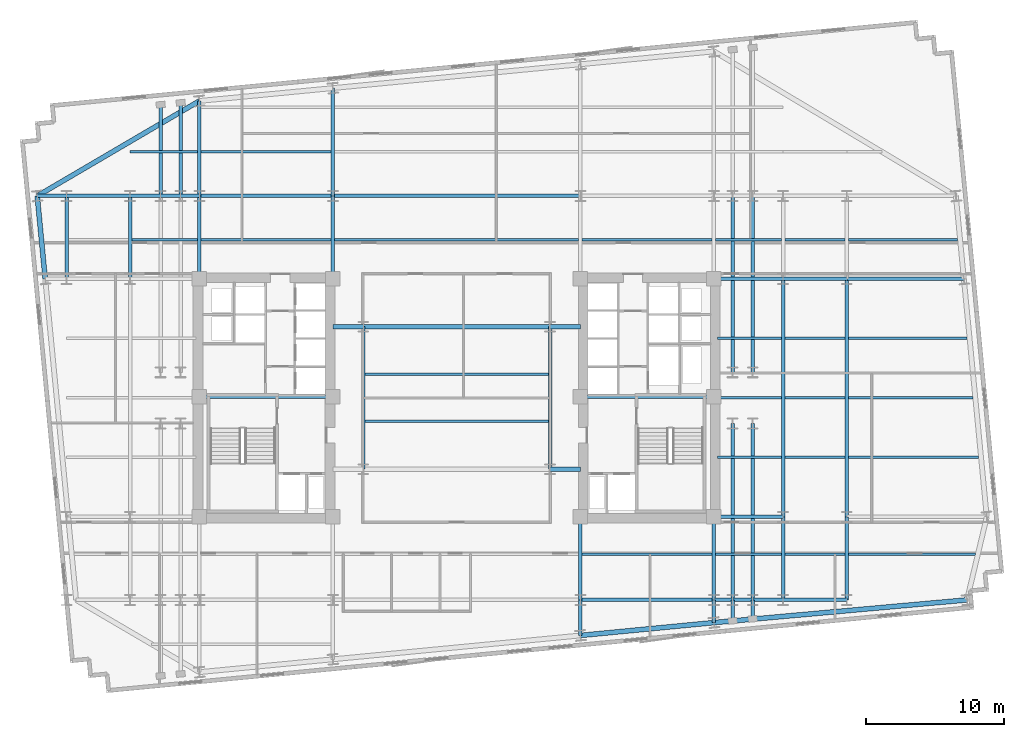
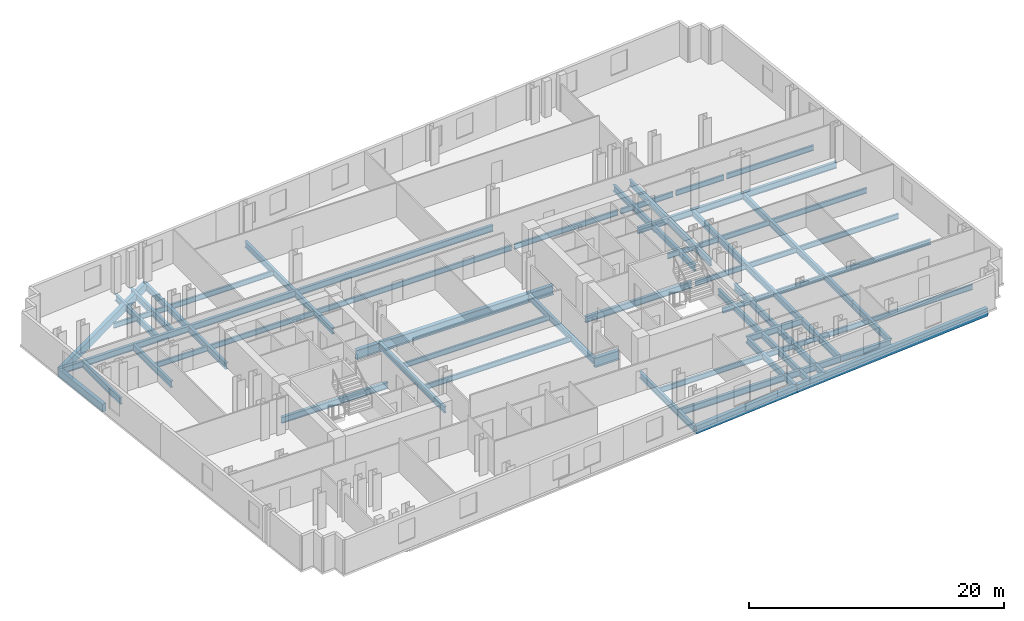
# One storey, part 2 of 10: 70 beams.
"""IFC4 building model written with IfcOpenShell, lengths in metres."""

import ifcopenshell
import ifcopenshell.guid

model = None  # the IFC model being written
_history = None  # IfcOwnerHistory: only IFC2X3 demands one
_inside = {}  # id of a spatial element -> (the spatial element, [elements in it])
_under = {}  # id of a project, library or spatial element -> (it, [spatial elements below it])
_declared = {}  # id of a project -> (the project, [libraries it declares])
_typed = {}  # id of a type object -> (the type object, [elements of that type])
_made_of = {}  # id of a material, layer set ... -> (it, [elements and type objects made of it])


def new_model(schema):
    """Start an empty IFC model of exactly this schema.

    Asked for "IFC4X3", IfcOpenShell would pick the latest addendum, in which some entities
    have other attributes; the version numbers below select the first issue.
    IFC2X3 requires an IfcOwnerHistory on every rooted entity: one is made here for all.
    """
    global model, _history
    if schema == "IFC4X3":
        model = ifcopenshell.file(schema_version=(4, 3, 0, 0))
    else:
        model = ifcopenshell.file(schema=schema)
    _inside.clear()
    _under.clear()
    _declared.clear()
    _typed.clear()
    _made_of.clear()
    _history = None
    if model.schema == "IFC2X3":
        org = make("IfcOrganization", Name="unknown")
        user = make(
            "IfcPersonAndOrganization",
            ThePerson=make("IfcPerson", FamilyName="unknown"),
            TheOrganization=org,
        )
        app = make(
            "IfcApplication",
            ApplicationDeveloper=org,
            Version="unknown",
            ApplicationFullName="unknown",
            ApplicationIdentifier="unknown",
        )
        _history = make(
            "IfcOwnerHistory",
            OwningUser=user,
            OwningApplication=app,
            ChangeAction="ADDED",
            CreationDate=0,
        )
    return model


def make(cls, **values):
    """One entity of the class cls with the attributes given. An attribute that is None is left unset."""
    return model.create_entity(
        cls, **{name: value for name, value in values.items() if value is not None}
    )


def rooted(cls, **values):
    """An entity with a GlobalId (a new one), such as an element, a storey or a relation."""
    return make(cls, GlobalId=ifcopenshell.guid.new(), OwnerHistory=_history, **values)


def si_unit(unit_type, name, prefix=None):
    """IfcSIUnit, for example si_unit("LENGTHUNIT", "METRE", prefix="MILLI")."""
    return make("IfcSIUnit", UnitType=unit_type, Prefix=prefix, Name=name)


def assignment(units):
    """IfcUnitAssignment: the units of a project."""
    return None if units is None else make("IfcUnitAssignment", Units=units)


def point(xyz):
    """IfcCartesianPoint."""
    return None if xyz is None else make("IfcCartesianPoint", Coordinates=xyz)


def direction(xyz):
    """IfcDirection."""
    return None if xyz is None else make("IfcDirection", DirectionRatios=xyz)


def frame(location, z_axis=None, x_axis=None):
    """IfcAxis2Placement3D, a coordinate frame: its origin and axes. An axis left out is left unset."""
    return make(
        "IfcAxis2Placement3D",
        Location=point(location),
        Axis=direction(z_axis),
        RefDirection=direction(x_axis),
    )


def frame_2d(location, x_axis=None):
    """IfcAxis2Placement2D, a coordinate frame in the plane: its origin and x axis."""
    return make(
        "IfcAxis2Placement2D", Location=point(location), RefDirection=direction(x_axis)
    )


def origin():
    """The frame at (0, 0, 0) with its axes left unset."""
    return frame((0.0, 0.0, 0.0))


def origin_2d():
    """The frame at (0, 0) in the plane with its x axis left unset."""
    return frame_2d((0.0, 0.0))


def place(relative_to, where):
    """IfcLocalPlacement: puts the frame where relative to a parent placement (None: the world)."""
    return make(
        "IfcLocalPlacement", PlacementRelTo=relative_to, RelativePlacement=where
    )


def context(
    kind, dimensions, precision=None, world=None, true_north=None, identifier=None
):
    """IfcGeometricRepresentationContext, for example the 3D "Model" context."""
    return make(
        "IfcGeometricRepresentationContext",
        ContextIdentifier=identifier,
        ContextType=kind,
        CoordinateSpaceDimension=dimensions,
        Precision=precision,
        WorldCoordinateSystem=world,
        TrueNorth=true_north,
    )


def subcontext(parent, identifier, kind, view, scale=None):
    """IfcGeometricRepresentationSubContext, for example "Body" below "Model"."""
    return make(
        "IfcGeometricRepresentationSubContext",
        ContextIdentifier=identifier,
        ContextType=kind,
        ParentContext=parent,
        TargetScale=scale,
        TargetView=view,
    )


def project(units=None, contexts=None):
    """IfcProject with its units and contexts."""
    return rooted(
        "IfcProject",
        Name="project",
        RepresentationContexts=contexts,
        UnitsInContext=assignment(units),
    )


def spatial(cls, under=None, at=None, **own):
    """A site, building, storey or space (cls), placed at a placement, below another one or the project."""
    s = rooted(cls, ObjectPlacement=at, **own)
    if under is not None:
        _under.setdefault(under.id(), (under, []))[1].append(s)
    return s


def profile(cls, at=None, kind="AREA", **sizes):
    """A parametric profile (cls). Its sizes go by their IFC names, for example OverallWidth=200.0."""
    return make(cls, ProfileType=kind, Position=at, **sizes)


def rectangle(**sizes):
    """IfcRectangleProfileDef."""
    return profile("IfcRectangleProfileDef", **sizes)


def i_section(**sizes):
    """IfcIShapeProfileDef."""
    return profile("IfcIShapeProfileDef", **sizes)


def extrude(swept, where, along, depth):
    """IfcExtrudedAreaSolid: the profile swept, set in the frame where, extruded along a direction by depth."""
    return make(
        "IfcExtrudedAreaSolid",
        SweptArea=swept,
        Position=where,
        ExtrudedDirection=direction(along),
        Depth=depth,
    )


def shape(context_of_items, identifier, shape_type, items):
    """IfcShapeRepresentation: the items that make up one representation, for example the "Body"."""
    return make(
        "IfcShapeRepresentation",
        ContextOfItems=context_of_items,
        RepresentationIdentifier=identifier,
        RepresentationType=shape_type,
        Items=items,
    )


def material(Name=None, Category=None):
    """IfcMaterial."""
    return make("IfcMaterial", Name=Name, Category=Category)


def material_profile(
    of_material, cross_section, Name=None, Category=None, Priority=None
):
    """IfcMaterialProfile: a cross section and its material."""
    return make(
        "IfcMaterialProfile",
        Name=Name,
        Material=of_material,
        Profile=cross_section,
        Priority=Priority,
        Category=Category,
    )


def profile_set(profiles, Name=None, composite=None):
    """IfcMaterialProfileSet."""
    return make(
        "IfcMaterialProfileSet",
        Name=Name,
        MaterialProfiles=profiles,
        CompositeProfile=composite,
    )


def made_of(thing, what):
    """Note that an element or type object is made of a material, layer set ...; save() writes the relation."""
    if what is not None:
        _made_of.setdefault(what.id(), (what, []))[1].append(thing)
    return thing


def type_object(cls, material=None, **own):
    """A type object (cls), such as IfcWallType, which elements share."""
    return made_of(rooted(cls, **own), material)


def element(
    cls,
    number,
    at=None,
    inside=None,
    cuts=None,
    type_object=None,
    material=None,
    context=None,
    identifier="Body",
    shape_type=None,
    held_by="IfcProductDefinitionShape",
    body=None,
    shapes=None,
    **own,
):
    """One element of the class cls, such as IfcWall. Its Tag is "e" and its number.

    at: its placement. inside: the storey or other place that contains it. cuts: it is an
    opening in that element (IfcRelVoidsElement). A single representation is given by context,
    identifier, shape_type and body (its items); several are given by shapes. held_by: the class
    of the entity that holds the representations. save() writes the other relations.
    """
    e = rooted(cls, Tag="e%d" % number, ObjectPlacement=at, **own)
    if body is not None:
        shapes = [shape(context, identifier, shape_type, body)]
    if shapes is not None:
        e.Representation = make(held_by, Representations=shapes)
    if inside is not None:
        _inside.setdefault(inside.id(), (inside, []))[1].append(e)
    if cuts is not None:
        rooted(
            "IfcRelVoidsElement", RelatingBuildingElement=cuts, RelatedOpeningElement=e
        )
    if type_object is not None:
        _typed.setdefault(type_object.id(), (type_object, []))[1].append(e)
    return made_of(e, material)


def aggregate(whole, parts):
    """IfcRelAggregates: a whole, such as a stair, and the parts it consists of."""
    return rooted("IfcRelAggregates", RelatingObject=whole, RelatedObjects=parts)


def save(model, path):
    """Write the relations noted so far, then the file.

    IfcRelAggregates (storeys below a building ...), IfcRelContainedInSpatialStructure (elements
    in a storey), IfcRelDefinesByType, IfcRelAssociatesMaterial and IfcRelDeclares: one each for
    every whole, place, type object, material and project.
    """
    for whole, parts in _under.values():
        aggregate(whole, parts)
    for where, things in _inside.values():
        rooted(
            "IfcRelContainedInSpatialStructure",
            RelatedElements=things,
            RelatingStructure=where,
        )
    for kind, things in _typed.values():
        rooted("IfcRelDefinesByType", RelatedObjects=things, RelatingType=kind)
    for what, things in _made_of.values():
        rooted("IfcRelAssociatesMaterial", RelatedObjects=things, RelatingMaterial=what)
    for by, libraries in _declared.values():
        rooted("IfcRelDeclares", RelatingContext=by, RelatedDefinitions=libraries)
    model.write(path)


model = new_model("IFC4")

# Units and contexts
model_context = context("Model", 3, precision=1e-05, world=origin(), true_north=direction((0.0, 1.0)))
body_context = subcontext(model_context, "Body", "Model", "MODEL_VIEW")
ifc_project = project(units=[si_unit("LENGTHUNIT", "METRE"), si_unit("AREAUNIT", "SQUARE_METRE"), si_unit("VOLUMEUNIT", "CUBIC_METRE"), si_unit("PLANEANGLEUNIT", "RADIAN"), si_unit("MASSUNIT", "GRAM", prefix="KILO")], contexts=[model_context])

# Site, building, storey
site_placement = place(None, origin())
site = spatial("IfcSite", under=ifc_project, at=site_placement, CompositionType="ELEMENT")
building_placement = place(site_placement, origin())
building = spatial("IfcBuilding", under=site, at=building_placement, Name="Velakula Bourse", CompositionType="ELEMENT")
storey_placement = place(building_placement, frame((0.0, 0.0, 98.35009765625)))
storey = spatial("IfcBuildingStorey", under=building, at=storey_placement, Name="L26", CompositionType="ELEMENT", Elevation=98.35009765625)

# Beams
ifc_material_1 = material(Name="Steel IS 2062 Grade 350 (E350)", Category="steel")
ifc_material_profile_1 = material_profile(ifc_material_1, i_section(OverallWidth=0.25, OverallDepth=0.60009765625, WebThickness=0.01171875, FlangeThickness=0.023681640625, at=origin_2d()), Name="Steel IS 2062 Grade 350 (E350)")
ifc_profile_set_1 = profile_set([ifc_material_profile_1], Name="Steel IS 2062 Grade 350 (E350)")
beam_type_1 = type_object("IfcBeamType", Name="BM-GRD-600H", PredefinedType="BEAM", material=ifc_profile_set_1)
for number, where, z_axis, x_axis, name in (
    (1, (-18.60009765625, 0.10009765625, -0.47998046875), (1.0, 0.0, 0.0), (0.0, 1.0, 0.0), "L26 Primary Backbone Girder CRW-M"),
    (2, (8.949951171875, 0.10009765625, -0.47998046875), (1.0, 0.0, 0.0), (0.0, 1.0, 0.0), "L26 Primary Backbone Girder CRE-M"),
):
    element("IfcBeam", number, at=place(storey_placement, frame(where, z_axis=z_axis, x_axis=x_axis)), inside=storey, type_object=beam_type_1, Name=name, PredefinedType="BEAM", context=body_context, shape_type="SweptSolid", body=[
        extrude(i_section(OverallWidth=0.25, OverallDepth=0.60009765625, WebThickness=0.01171875, FlangeThickness=0.023681640625, at=origin_2d()), origin(), (0.0, 0.0, 1.0), 9.650146484375),
    ])
for number, where, z_axis, x_axis, name in (
    (3, (-6.75, -5.14990234375, -0.47998046875), (0.0, 1.0, 0.0), (-1.0, 0.0, 0.0), "L26 Primary Backbone Girder SPN-W"),
    (4, (6.75, -5.14990234375, -0.47998046875), (0.0, 1.0, 0.0), (-1.0, 0.0, 0.0), "L26 Primary Backbone Girder SPN-E"),
):
    element("IfcBeam", number, at=place(storey_placement, frame(where, z_axis=z_axis, x_axis=x_axis)), inside=storey, type_object=beam_type_1, Name=name, PredefinedType="BEAM", context=body_context, shape_type="SweptSolid", body=[
        extrude(i_section(OverallWidth=0.25, OverallDepth=0.60009765625, WebThickness=0.01171875, FlangeThickness=0.023681640625, at=origin_2d()), origin(), (0.0, 0.0, 1.0), 10.2998046875),
    ])
for number, where, z_axis, x_axis, name in (
    (5, (-18.60009765625, 8.60009765625, -0.47998046875), (0.0, 1.0, 0.0), (-1.0, 0.0, 0.0), "L26 Fulcrum Grid Girder FLC-WN"),
    (6, (-8.949951171875, 8.60009765625, -0.47998046875), (0.0, 1.0, 0.0), (-1.0, 0.0, 0.0), "L26 Fulcrum Grid Girder FLC-WCN"),
    (7, (8.949951171875, -14.60009765625, -0.47998046875), (0.0, 1.0, 0.0), (-1.0, 0.0, 0.0), "L26 Fulcrum Grid Girder FLC-ECS"),
    (8, (18.60009765625, -14.60009765625, -0.47998046875), (0.0, 1.0, 0.0), (-1.0, 0.0, 0.0), "L26 Fulcrum Grid Girder FLC-ES"),
):
    element("IfcBeam", number, at=place(storey_placement, frame(where, z_axis=z_axis, x_axis=x_axis)), inside=storey, type_object=beam_type_1, Name=name, PredefinedType="BEAM", context=body_context, shape_type="SweptSolid", body=[
        extrude(i_section(OverallWidth=0.25, OverallDepth=0.60009765625, WebThickness=0.01171875, FlangeThickness=0.023681640625, at=origin_2d()), origin(), (0.0, 0.0, 1.0), 6.0),
    ])
for number, where, z_axis, x_axis, name in (
    (9, (8.949951171875, -14.60009765625, -0.47998046875), (1.0, 0.0, 0.0), (0.0, 1.0, 0.0), "L26 Fulcrum Grid Girder FLC-S3"),
    (10, (-18.60009765625, 14.60009765625, -0.47998046875), (1.0, 0.0, 0.0), (0.0, 1.0, 0.0), "L26 Fulcrum Grid Girder FLC-N1"),
):
    element("IfcBeam", number, at=place(storey_placement, frame(where, z_axis=z_axis, x_axis=x_axis)), inside=storey, type_object=beam_type_1, Name=name, PredefinedType="BEAM", context=body_context, shape_type="SweptSolid", body=[
        extrude(i_section(OverallWidth=0.25, OverallDepth=0.60009765625, WebThickness=0.01171875, FlangeThickness=0.023681640625, at=origin_2d()), origin(), (0.0, 0.0, 1.0), 9.650146484375),
    ])
beam_1_placement = place(storey_placement, frame((-8.949951171875, 14.60009765625, -0.47998046875), z_axis=(1.0, 0.0, 0.0), x_axis=(0.0, 1.0, 0.0)))
element("IfcBeam", 11, at=beam_1_placement, inside=storey, type_object=beam_type_1, Name="L26 Fulcrum Grid Girder FLC-N2", PredefinedType="BEAM", context=body_context, shape_type="SweptSolid", body=[
    extrude(i_section(OverallWidth=0.25, OverallDepth=0.60009765625, WebThickness=0.01171875, FlangeThickness=0.023681640625, at=origin_2d()), origin(), (0.0, 0.0, 1.0), 17.89990234375),
])
for number, where, z_axis, x_axis, name in (
    (12, (19.949951171875, -14.60009765625, -0.47998046875), (0.0, 1.0, 0.0), (-1.0, 0.0, 0.0), "L26 Fulcrum Grid Girder FLC-PSE1"),
    (13, (19.949951171875, 1.85009765625, -0.47998046875), (0.0, 1.0, 0.0), (-1.0, 0.0, 0.0), "L26 Fulcrum Grid Girder FLC-PNE1"),
    (14, (21.39990234375, -14.60009765625, -0.47998046875), (0.0, 1.0, 0.0), (-1.0, 0.0, 0.0), "L26 Fulcrum Grid Girder FLC-PSE2"),
    (15, (21.39990234375, 1.85009765625, -0.47998046875), (0.0, 1.0, 0.0), (-1.0, 0.0, 0.0), "L26 Fulcrum Grid Girder FLC-PNE2"),
):
    element("IfcBeam", number, at=place(storey_placement, frame(where, z_axis=z_axis, x_axis=x_axis)), inside=storey, type_object=beam_type_1, Name=name, PredefinedType="BEAM", context=body_context, shape_type="SweptSolid", body=[
        extrude(i_section(OverallWidth=0.25, OverallDepth=0.60009765625, WebThickness=0.01171875, FlangeThickness=0.023681640625, at=origin_2d()), origin(), (0.0, 0.0, 1.0), 12.75),
    ])
beam_2_placement = place(storey_placement, frame((-23.60009765625, 14.60009765625, -0.47998046875), z_axis=(1.0, 0.0, 0.0), x_axis=(0.0, 1.0, 0.0)))
element("IfcBeam", 16, at=beam_2_placement, inside=storey, type_object=beam_type_1, Name="L26 Fulcrum Grid Girder MWG-WN2", PredefinedType="BEAM", context=body_context, shape_type="SweptSolid", body=[
    extrude(i_section(OverallWidth=0.25, OverallDepth=0.60009765625, WebThickness=0.01171875, FlangeThickness=0.023681640625, at=origin_2d()), origin(), (0.0, 0.0, 1.0), 5.0),
])
beam_3_placement = place(storey_placement, frame((-23.60009765625, 8.60009765625, -0.47998046875), z_axis=(0.0, 1.0, 0.0), x_axis=(-1.0, 0.0, 0.0)))
element("IfcBeam", 17, at=beam_3_placement, inside=storey, type_object=beam_type_1, Name="L26 Fulcrum Grid Girder MWG-WNS3", PredefinedType="BEAM", context=body_context, shape_type="SweptSolid", body=[
    extrude(i_section(OverallWidth=0.25, OverallDepth=0.60009765625, WebThickness=0.01171875, FlangeThickness=0.023681640625, at=origin_2d()), origin(), (0.0, 0.0, 1.0), 6.0),
])
for number, where, z_axis, x_axis, name in (
    (18, (18.60009765625, -14.60009765625, -0.47998046875), (1.0, 0.0, 0.0), (0.0, 1.0, 0.0), "L26 Fulcrum Grid Girder MWG-ES1"),
    (19, (18.60009765625, -8.60009765625, -0.47998046875), (1.0, 0.0, 0.0), (0.0, 1.0, 0.0), "L26 Fulcrum Grid Girder MWG-ES2"),
    (20, (18.60009765625, 8.60009765625, -0.47998046875), (1.0, 0.0, 0.0), (0.0, 1.0, 0.0), "L26 Fulcrum Grid Girder MWG-EN1"),
):
    element("IfcBeam", number, at=place(storey_placement, frame(where, z_axis=z_axis, x_axis=x_axis)), inside=storey, type_object=beam_type_1, Name=name, PredefinedType="BEAM", context=body_context, shape_type="SweptSolid", body=[
        extrude(i_section(OverallWidth=0.25, OverallDepth=0.60009765625, WebThickness=0.01171875, FlangeThickness=0.023681640625, at=origin_2d()), origin(), (0.0, 0.0, 1.0), 5.0),
    ])
beam_4_placement = place(storey_placement, frame((23.60009765625, -14.60009765625, -0.47998046875), z_axis=(0.0, 1.0, 0.0), x_axis=(-1.0, 0.0, 0.0)))
element("IfcBeam", 21, at=beam_4_placement, inside=storey, type_object=beam_type_1, Name="L26 Fulcrum Grid Girder MWG-ENS1", PredefinedType="BEAM", context=body_context, shape_type="SweptSolid", body=[
    extrude(i_section(OverallWidth=0.25, OverallDepth=0.60009765625, WebThickness=0.01171875, FlangeThickness=0.023681640625, at=origin_2d()), origin(), (0.0, 0.0, 1.0), 6.0),
])
beam_5_placement = place(storey_placement, frame((23.60009765625, -8.60009765625, -0.47998046875), z_axis=(0.0, 1.0, 0.0), x_axis=(-1.0, 0.0, 0.0)))
element("IfcBeam", 22, at=beam_5_placement, inside=storey, type_object=beam_type_1, Name="L26 Fulcrum Grid Girder MWG-ENS2", PredefinedType="BEAM", context=body_context, shape_type="SweptSolid", body=[
    extrude(i_section(OverallWidth=0.25, OverallDepth=0.60009765625, WebThickness=0.01171875, FlangeThickness=0.023681640625, at=origin_2d()), origin(), (0.0, 0.0, 1.0), 17.2001953125),
])
beam_6_placement = place(storey_placement, frame((-28.199951171875, 14.60009765625, -0.47998046875), z_axis=(1.0, 0.0, 0.0), x_axis=(0.0, 1.0, 0.0)))
element("IfcBeam", 23, at=beam_6_placement, inside=storey, type_object=beam_type_1, Name="L26 Fulcrum Grid Girder WNG-WN2", PredefinedType="BEAM", context=body_context, shape_type="SweptSolid", body=[
    extrude(i_section(OverallWidth=0.25, OverallDepth=0.60009765625, WebThickness=0.01171875, FlangeThickness=0.023681640625, at=origin_2d()), origin(), (0.0, 0.0, 1.0), 4.599853515625),
])
beam_7_placement = place(storey_placement, frame((-28.199951171875, 8.60009765625, -0.47998046875), z_axis=(0.0, 1.0, 0.0), x_axis=(-1.0, 0.0, 0.0)))
element("IfcBeam", 24, at=beam_7_placement, inside=storey, type_object=beam_type_1, Name="L26 Fulcrum Grid Girder WNG-WNS3", PredefinedType="BEAM", context=body_context, shape_type="SweptSolid", body=[
    extrude(i_section(OverallWidth=0.25, OverallDepth=0.60009765625, WebThickness=0.01171875, FlangeThickness=0.023681640625, at=origin_2d()), origin(), (0.0, 0.0, 1.0), 6.0),
])
for number, where, z_axis, x_axis, name in (
    (25, (23.60009765625, -14.60009765625, -0.47998046875), (1.0, 0.0, 0.0), (0.0, 1.0, 0.0), "L26 Fulcrum Grid Girder WNG-ES1"),
    (26, (23.60009765625, 8.60009765625, -0.47998046875), (1.0, 0.0, 0.0), (0.0, 1.0, 0.0), "L26 Fulcrum Grid Girder WNG-EN1"),
):
    element("IfcBeam", number, at=place(storey_placement, frame(where, z_axis=z_axis, x_axis=x_axis)), inside=storey, type_object=beam_type_1, Name=name, PredefinedType="BEAM", context=body_context, shape_type="SweptSolid", body=[
        extrude(i_section(OverallWidth=0.25, OverallDepth=0.60009765625, WebThickness=0.01171875, FlangeThickness=0.023681640625, at=origin_2d()), origin(), (0.0, 0.0, 1.0), 4.599853515625),
    ])
beam_8_placement = place(storey_placement, frame((28.199951171875, -14.60009765625, -0.47998046875), z_axis=(0.0, 1.0, 0.0), x_axis=(-1.0, 0.0, 0.0)))
element("IfcBeam", 27, at=beam_8_placement, inside=storey, type_object=beam_type_1, Name="L26 Fulcrum Grid Girder WNG-ENS1", PredefinedType="BEAM", context=body_context, shape_type="SweptSolid", body=[
    extrude(i_section(OverallWidth=0.25, OverallDepth=0.60009765625, WebThickness=0.01171875, FlangeThickness=0.023681640625, at=origin_2d()), origin(), (0.0, 0.0, 1.0), 6.0),
])
beam_9_placement = place(storey_placement, frame((28.199951171875, -8.60009765625, -0.47998046875), z_axis=(0.0, 1.0, 0.0), x_axis=(-1.0, 0.0, 0.0)))
element("IfcBeam", 28, at=beam_9_placement, inside=storey, type_object=beam_type_1, Name="L26 Fulcrum Grid Girder WNG-ENS2", PredefinedType="BEAM", context=body_context, shape_type="SweptSolid", body=[
    extrude(i_section(OverallWidth=0.25, OverallDepth=0.60009765625, WebThickness=0.01171875, FlangeThickness=0.023681640625, at=origin_2d()), origin(), (0.0, 0.0, 1.0), 17.2001953125),
])
beam_10_placement = place(storey_placement, frame((8.949951171875, -14.60009765625, -0.47998046875), z_axis=(0.0, -1.0, 0.0), x_axis=(1.0, 0.0, 0.0)))
element("IfcBeam", 29, at=beam_10_placement, inside=storey, type_object=beam_type_1, Name="L26 Perimeter Tie Girder S3", PredefinedType="BEAM", context=body_context, shape_type="SweptSolid", body=[
    extrude(i_section(OverallWidth=0.25, OverallDepth=0.60009765625, WebThickness=0.01171875, FlangeThickness=0.023681640625, at=origin_2d()), origin(), (0.0, 0.0, 1.0), 2.568359375),
])
beam_11_placement = place(storey_placement, frame((18.60009765625, -14.60009765625, -0.47998046875), z_axis=(0.0, -1.0, 0.0), x_axis=(1.0, 0.0, 0.0)))
element("IfcBeam", 30, at=beam_11_placement, inside=storey, type_object=beam_type_1, Name="L26 Perimeter Tie Girder S4", PredefinedType="BEAM", context=body_context, shape_type="SweptSolid", body=[
    extrude(i_section(OverallWidth=0.25, OverallDepth=0.60009765625, WebThickness=0.01171875, FlangeThickness=0.023681640625, at=origin_2d()), origin(), (0.0, 0.0, 1.0), 1.63916015625),
])
beam_12_placement = place(storey_placement, frame((-18.60009765625, 14.60009765625, -0.47998046875), z_axis=(0.0, 1.0, 0.0), x_axis=(-1.0, 0.0, 0.0)))
element("IfcBeam", 31, at=beam_12_placement, inside=storey, type_object=beam_type_1, Name="L26 Perimeter Tie Girder N1", PredefinedType="BEAM", context=body_context, shape_type="SweptSolid", body=[
    extrude(i_section(OverallWidth=0.25, OverallDepth=0.60009765625, WebThickness=0.01171875, FlangeThickness=0.023681640625, at=origin_2d()), origin(), (0.0, 0.0, 1.0), 6.868896484375),
])
beam_13_placement = place(storey_placement, frame((-8.949951171875, 14.60009765625, -0.47998046875), z_axis=(0.0, 1.0, 0.0), x_axis=(-1.0, 0.0, 0.0)))
element("IfcBeam", 32, at=beam_13_placement, inside=storey, type_object=beam_type_1, Name="L26 Perimeter Tie Girder N2", PredefinedType="BEAM", context=body_context, shape_type="SweptSolid", body=[
    extrude(i_section(OverallWidth=0.25, OverallDepth=0.60009765625, WebThickness=0.01171875, FlangeThickness=0.023681640625, at=origin_2d()), origin(), (0.0, 0.0, 1.0), 7.798095703125),
])
beam_14_placement = place(storey_placement, frame((-28.199951171875, 14.60009765625, -0.47998046875), z_axis=(-1.0, 0.0, 0.0), x_axis=(0.0, -1.0, 0.0)))
element("IfcBeam", 33, at=beam_14_placement, inside=storey, type_object=beam_type_1, Name="L26 Perimeter Tie Girder W4", PredefinedType="BEAM", context=body_context, shape_type="SweptSolid", body=[
    extrude(i_section(OverallWidth=0.25, OverallDepth=0.60009765625, WebThickness=0.01171875, FlangeThickness=0.023681640625, at=origin_2d()), origin(), (0.0, 0.0, 1.0), 2.119873046875),
])
beam_15_placement = place(storey_placement, frame((28.199951171875, 8.60009765625, -0.47998046875), z_axis=(1.0, 0.0, 0.0), x_axis=(0.0, 1.0, 0.0)))
element("IfcBeam", 34, at=beam_15_placement, inside=storey, type_object=beam_type_1, Name="L26 Perimeter Tie Girder E3", PredefinedType="BEAM", context=body_context, shape_type="SweptSolid", body=[
    extrude(i_section(OverallWidth=0.25, OverallDepth=0.60009765625, WebThickness=0.01171875, FlangeThickness=0.023681640625, at=origin_2d()), origin(), (0.0, 0.0, 1.0), 8.463623046875),
])
beam_16_placement = place(storey_placement, frame((19.949951171875, -14.60009765625, -0.47998046875), z_axis=(0.0, -1.0, 0.0), x_axis=(1.0, 0.0, 0.0)))
element("IfcBeam", 35, at=beam_16_placement, inside=storey, type_object=beam_type_1, Name="L26 Perimeter Tie Girder P03", PredefinedType="BEAM", context=body_context, shape_type="SweptSolid", body=[
    extrude(i_section(OverallWidth=0.25, OverallDepth=0.60009765625, WebThickness=0.01171875, FlangeThickness=0.023681640625, at=origin_2d()), origin(), (0.0, 0.0, 1.0), 1.509033203125),
])
beam_17_placement = place(storey_placement, frame((21.39990234375, -14.60009765625, -0.47998046875), z_axis=(0.0, -1.0, 0.0), x_axis=(1.0, 0.0, 0.0)))
element("IfcBeam", 36, at=beam_17_placement, inside=storey, type_object=beam_type_1, Name="L26 Perimeter Tie Girder P04", PredefinedType="BEAM", context=body_context, shape_type="SweptSolid", body=[
    extrude(i_section(OverallWidth=0.25, OverallDepth=0.60009765625, WebThickness=0.01171875, FlangeThickness=0.023681640625, at=origin_2d()), origin(), (0.0, 0.0, 1.0), 1.369384765625),
])
beam_18_placement = place(storey_placement, frame((-21.39990234375, 14.60009765625, -0.47998046875), z_axis=(0.0, 1.0, 0.0), x_axis=(-1.0, 0.0, 0.0)))
element("IfcBeam", 37, at=beam_18_placement, inside=storey, type_object=beam_type_1, Name="L26 Perimeter Tie Girder P05", PredefinedType="BEAM", context=body_context, shape_type="SweptSolid", body=[
    extrude(i_section(OverallWidth=0.25, OverallDepth=0.60009765625, WebThickness=0.01171875, FlangeThickness=0.023681640625, at=origin_2d()), origin(), (0.0, 0.0, 1.0), 6.59912109375),
])
beam_19_placement = place(storey_placement, frame((-19.949951171875, 14.60009765625, -0.47998046875), z_axis=(0.0, 1.0, 0.0), x_axis=(-1.0, 0.0, 0.0)))
element("IfcBeam", 38, at=beam_19_placement, inside=storey, type_object=beam_type_1, Name="L26 Perimeter Tie Girder P06", PredefinedType="BEAM", context=body_context, shape_type="SweptSolid", body=[
    extrude(i_section(OverallWidth=0.25, OverallDepth=0.60009765625, WebThickness=0.01171875, FlangeThickness=0.023681640625, at=origin_2d()), origin(), (0.0, 0.0, 1.0), 6.73876953125),
])
ifc_material_profile_2 = material_profile(ifc_material_1, i_section(OverallWidth=0.35009765625, OverallDepth=0.89990234375, WebThickness=0.02001953125, FlangeThickness=0.031982421875, at=origin_2d()), Name="Steel IS 2062 Grade 350 (E350)")
ifc_profile_set_2 = profile_set([ifc_material_profile_2], Name="Steel IS 2062 Grade 350 (E350)")
beam_type_2 = type_object("IfcBeamType", Name="BM-LNK-900", PredefinedType="BEAM", material=ifc_profile_set_2)
for number, where, z_axis, x_axis, name in (
    (39, (6.75, -5.14990234375, -0.630126953125), (1.0, 0.0, 0.0), (0.0, 1.0, 0.0), "L26 Primary Backbone Girder LNK-S3"),
    (40, (-8.949951171875, 5.14990234375, -0.630126953125), (1.0, 0.0, 0.0), (0.0, 1.0, 0.0), "L26 Primary Backbone Girder LNK-N1"),
):
    element("IfcBeam", number, at=place(storey_placement, frame(where, z_axis=z_axis, x_axis=x_axis)), inside=storey, type_object=beam_type_2, Name=name, PredefinedType="BEAM", context=body_context, shape_type="SweptSolid", body=[
        extrude(i_section(OverallWidth=0.35009765625, OverallDepth=0.89990234375, WebThickness=0.02001953125, FlangeThickness=0.031982421875, at=origin_2d()), origin(), (0.0, 0.0, 1.0), 2.199951171875),
    ])
beam_20_placement = place(storey_placement, frame((-6.75, 5.14990234375, -0.630126953125), z_axis=(1.0, 0.0, 0.0), x_axis=(0.0, 1.0, 0.0)))
element("IfcBeam", 41, at=beam_20_placement, inside=storey, type_object=beam_type_2, Name="L26 Primary Backbone Girder LNK-N2", PredefinedType="BEAM", context=body_context, shape_type="SweptSolid", body=[
    extrude(i_section(OverallWidth=0.35009765625, OverallDepth=0.89990234375, WebThickness=0.02001953125, FlangeThickness=0.031982421875, at=origin_2d()), origin(), (0.0, 0.0, 1.0), 13.5),
])
beam_21_placement = place(storey_placement, frame((6.75, 5.14990234375, -0.630126953125), z_axis=(1.0, 0.0, 0.0), x_axis=(0.0, 1.0, 0.0)))
element("IfcBeam", 42, at=beam_21_placement, inside=storey, type_object=beam_type_2, Name="L26 Primary Backbone Girder LNK-N3", PredefinedType="BEAM", context=body_context, shape_type="SweptSolid", body=[
    extrude(i_section(OverallWidth=0.35009765625, OverallDepth=0.89990234375, WebThickness=0.02001953125, FlangeThickness=0.031982421875, at=origin_2d()), origin(), (0.0, 0.0, 1.0), 2.199951171875),
])
ifc_material_profile_3 = material_profile(ifc_material_1, i_section(OverallWidth=0.179931640625, OverallDepth=0.5, WebThickness=0.01025390625, FlangeThickness=0.01708984375, at=origin_2d()), Name="Steel IS 2062 Grade 350 (E350)")
ifc_profile_set_3 = profile_set([ifc_material_profile_3], Name="Steel IS 2062 Grade 350 (E350)")
beam_type_3 = type_object("IfcBeamType", Name="JST-TWR-500", PredefinedType="JOIST", material=ifc_profile_set_3)
beam_22_placement = place(storey_placement, frame((9.074951171875, -11.300048828125, -0.43017578125), z_axis=(1.0, 0.0, 0.0), x_axis=(0.0, 1.0, 0.0)))
element("IfcBeam", 43, at=beam_22_placement, inside=storey, type_object=beam_type_3, Name="L26 Trading Floor Composite Joist 08", PredefinedType="JOIST", context=body_context, shape_type="SweptSolid", body=[
    extrude(i_section(OverallWidth=0.179931640625, OverallDepth=0.5, WebThickness=0.01025390625, FlangeThickness=0.01708984375, at=origin_2d()), origin(), (0.0, 0.0, 1.0), 9.400146484375),
])
beam_23_placement = place(storey_placement, frame((18.72509765625, -11.300048828125, -0.43017578125), z_axis=(1.0, 0.0, 0.0), x_axis=(0.0, 1.0, 0.0)))
element("IfcBeam", 44, at=beam_23_placement, inside=storey, type_object=beam_type_3, Name="L26 Trading Floor Composite Joist 09", PredefinedType="JOIST", context=body_context, shape_type="SweptSolid", body=[
    extrude(i_section(OverallWidth=0.179931640625, OverallDepth=0.5, WebThickness=0.01025390625, FlangeThickness=0.01708984375, at=origin_2d()), origin(), (0.0, 0.0, 1.0), 4.75),
])
beam_24_placement = place(storey_placement, frame((23.72509765625, -11.300048828125, -0.43017578125), z_axis=(1.0, 0.0, 0.0), x_axis=(0.0, 1.0, 0.0)))
element("IfcBeam", 45, at=beam_24_placement, inside=storey, type_object=beam_type_3, Name="L26 Trading Floor Composite Joist 10", PredefinedType="JOIST", context=body_context, shape_type="SweptSolid", body=[
    extrude(i_section(OverallWidth=0.179931640625, OverallDepth=0.5, WebThickness=0.01025390625, FlangeThickness=0.01708984375, at=origin_2d()), origin(), (0.0, 0.0, 1.0), 4.349853515625),
])
beam_25_placement = place(storey_placement, frame((28.324951171875, -11.300048828125, -0.43017578125), z_axis=(1.0, 0.0, 0.0), x_axis=(0.0, 1.0, 0.0)))
element("IfcBeam", 46, at=beam_25_placement, inside=storey, type_object=beam_type_3, Name="L26 Trading Floor Composite Joist 11", PredefinedType="JOIST", context=body_context, shape_type="SweptSolid", body=[
    extrude(i_section(OverallWidth=0.179931640625, OverallDepth=0.5, WebThickness=0.01025390625, FlangeThickness=0.01708984375, at=origin_2d()), origin(), (0.0, 0.0, 1.0), 9.170654296875),
])
beam_26_placement = place(storey_placement, frame((-23.47509765625, 11.449951171875, -0.43017578125), z_axis=(1.0, 0.0, 0.0), x_axis=(0.0, 1.0, 0.0)))
element("IfcBeam", 47, at=beam_26_placement, inside=storey, type_object=beam_type_3, Name="L26 Trading Floor Composite Joist 13", PredefinedType="JOIST", context=body_context, shape_type="SweptSolid", body=[
    extrude(i_section(OverallWidth=0.179931640625, OverallDepth=0.5, WebThickness=0.01025390625, FlangeThickness=0.01708984375, at=origin_2d()), origin(), (0.0, 0.0, 1.0), 4.75),
])
beam_27_placement = place(storey_placement, frame((-18.47509765625, 11.449951171875, -0.43017578125), z_axis=(1.0, 0.0, 0.0), x_axis=(0.0, 1.0, 0.0)))
element("IfcBeam", 48, at=beam_27_placement, inside=storey, type_object=beam_type_3, Name="L26 Trading Floor Composite Joist 14", PredefinedType="JOIST", context=body_context, shape_type="SweptSolid", body=[
    extrude(i_section(OverallWidth=0.179931640625, OverallDepth=0.5, WebThickness=0.01025390625, FlangeThickness=0.01708984375, at=origin_2d()), origin(), (0.0, 0.0, 1.0), 9.400146484375),
])
beam_28_placement = place(storey_placement, frame((-8.824951171875, 11.449951171875, -0.43017578125), z_axis=(1.0, 0.0, 0.0), x_axis=(0.0, 1.0, 0.0)))
element("IfcBeam", 49, at=beam_28_placement, inside=storey, type_object=beam_type_3, Name="L26 Trading Floor Composite Joist 15", PredefinedType="JOIST", context=body_context, shape_type="SweptSolid", body=[
    extrude(i_section(OverallWidth=0.179931640625, OverallDepth=0.5, WebThickness=0.01025390625, FlangeThickness=0.01708984375, at=origin_2d()), origin(), (0.0, 0.0, 1.0), 17.64990234375),
])
beam_29_placement = place(storey_placement, frame((9.074951171875, 11.449951171875, -0.43017578125), z_axis=(1.0, 0.0, 0.0), x_axis=(0.0, 1.0, 0.0)))
element("IfcBeam", 50, at=beam_29_placement, inside=storey, type_object=beam_type_3, Name="L26 Trading Floor Composite Joist 16", PredefinedType="JOIST", context=body_context, shape_type="SweptSolid", body=[
    extrude(i_section(OverallWidth=0.179931640625, OverallDepth=0.5, WebThickness=0.01025390625, FlangeThickness=0.01708984375, at=origin_2d()), origin(), (0.0, 0.0, 1.0), 9.400146484375),
])
beam_30_placement = place(storey_placement, frame((18.72509765625, 11.449951171875, -0.43017578125), z_axis=(1.0, 0.0, 0.0), x_axis=(0.0, 1.0, 0.0)))
element("IfcBeam", 51, at=beam_30_placement, inside=storey, type_object=beam_type_3, Name="L26 Trading Floor Composite Joist 17", PredefinedType="JOIST", context=body_context, shape_type="SweptSolid", body=[
    extrude(i_section(OverallWidth=0.179931640625, OverallDepth=0.5, WebThickness=0.01025390625, FlangeThickness=0.01708984375, at=origin_2d()), origin(), (0.0, 0.0, 1.0), 4.75),
])
beam_31_placement = place(storey_placement, frame((23.72509765625, 11.449951171875, -0.43017578125), z_axis=(1.0, 0.0, 0.0), x_axis=(0.0, 1.0, 0.0)))
element("IfcBeam", 52, at=beam_31_placement, inside=storey, type_object=beam_type_3, Name="L26 Trading Floor Composite Joist 18", PredefinedType="JOIST", context=body_context, shape_type="SweptSolid", body=[
    extrude(i_section(OverallWidth=0.179931640625, OverallDepth=0.5, WebThickness=0.01025390625, FlangeThickness=0.01708984375, at=origin_2d()), origin(), (0.0, 0.0, 1.0), 4.349853515625),
])
beam_32_placement = place(storey_placement, frame((28.324951171875, 11.449951171875, -0.43017578125), z_axis=(1.0, 0.0, 0.0), x_axis=(0.0, 1.0, 0.0)))
element("IfcBeam", 53, at=beam_32_placement, inside=storey, type_object=beam_type_3, Name="L26 Trading Floor Composite Joist 19", PredefinedType="JOIST", context=body_context, shape_type="SweptSolid", body=[
    extrude(i_section(OverallWidth=0.179931640625, OverallDepth=0.5, WebThickness=0.01025390625, FlangeThickness=0.01708984375, at=origin_2d()), origin(), (0.0, 0.0, 1.0), 7.888427734375),
])
beam_33_placement = place(storey_placement, frame((-23.60009765625, 17.800048828125, -0.43017578125), z_axis=(1.0, 0.0, 0.0), x_axis=(0.0, 1.0, 0.0)))
element("IfcBeam", 54, at=beam_33_placement, inside=storey, type_object=beam_type_3, Name="L26 Trading Floor Composite Joist 20", PredefinedType="JOIST", context=body_context, shape_type="SweptSolid", body=[
    extrude(i_section(OverallWidth=0.179931640625, OverallDepth=0.5, WebThickness=0.01025390625, FlangeThickness=0.01708984375, at=origin_2d()), origin(), (0.0, 0.0, 1.0), 4.875),
])
beam_34_placement = place(storey_placement, frame((-18.47509765625, 17.800048828125, -0.43017578125), z_axis=(1.0, 0.0, 0.0), x_axis=(0.0, 1.0, 0.0)))
element("IfcBeam", 55, at=beam_34_placement, inside=storey, type_object=beam_type_3, Name="L26 Trading Floor Composite Joist 21", PredefinedType="JOIST", context=body_context, shape_type="SweptSolid", body=[
    extrude(i_section(OverallWidth=0.179931640625, OverallDepth=0.5, WebThickness=0.01025390625, FlangeThickness=0.01708984375, at=origin_2d()), origin(), (0.0, 0.0, 1.0), 9.400146484375),
])
for number, where, z_axis, x_axis, name in (
    (56, (-6.625, -1.699951171875, -0.43017578125), (1.0, 0.0, 0.0), (0.0, 1.0, 0.0), "L26 Trading Floor Composite Joist 31"),
    (57, (-6.625, 1.699951171875, -0.43017578125), (1.0, 0.0, 0.0), (0.0, 1.0, 0.0), "L26 Trading Floor Composite Joist 32"),
):
    element("IfcBeam", number, at=place(storey_placement, frame(where, z_axis=z_axis, x_axis=x_axis)), inside=storey, type_object=beam_type_3, Name=name, PredefinedType="JOIST", context=body_context, shape_type="SweptSolid", body=[
        extrude(i_section(OverallWidth=0.179931640625, OverallDepth=0.5, WebThickness=0.01025390625, FlangeThickness=0.01708984375, at=origin_2d()), origin(), (0.0, 0.0, 1.0), 13.25),
    ])
beam_35_placement = place(storey_placement, frame((18.85009765625, -4.300048828125, -0.43017578125), z_axis=(1.0, 0.0, 0.0), x_axis=(0.0, 1.0, 0.0)))
element("IfcBeam", 58, at=beam_35_placement, inside=storey, type_object=beam_type_3, Name="L26 Trading Floor Composite Joist 35", PredefinedType="JOIST", context=body_context, shape_type="SweptSolid", body=[
    extrude(i_section(OverallWidth=0.179931640625, OverallDepth=0.5, WebThickness=0.01025390625, FlangeThickness=0.01708984375, at=origin_2d()), origin(), (0.0, 0.0, 1.0), 4.625),
])
beam_36_placement = place(storey_placement, frame((23.72509765625, -4.300048828125, -0.43017578125), z_axis=(1.0, 0.0, 0.0), x_axis=(0.0, 1.0, 0.0)))
element("IfcBeam", 59, at=beam_36_placement, inside=storey, type_object=beam_type_3, Name="L26 Trading Floor Composite Joist 36", PredefinedType="JOIST", context=body_context, shape_type="SweptSolid", body=[
    extrude(i_section(OverallWidth=0.179931640625, OverallDepth=0.5, WebThickness=0.01025390625, FlangeThickness=0.01708984375, at=origin_2d()), origin(), (0.0, 0.0, 1.0), 4.349853515625),
])
beam_37_placement = place(storey_placement, frame((28.324951171875, -4.300048828125, -0.43017578125), z_axis=(1.0, 0.0, 0.0), x_axis=(0.0, 1.0, 0.0)))
element("IfcBeam", 60, at=beam_37_placement, inside=storey, type_object=beam_type_3, Name="L26 Trading Floor Composite Joist 37", PredefinedType="JOIST", context=body_context, shape_type="SweptSolid", body=[
    extrude(i_section(OverallWidth=0.179931640625, OverallDepth=0.5, WebThickness=0.01025390625, FlangeThickness=0.01708984375, at=origin_2d()), origin(), (0.0, 0.0, 1.0), 9.405029296875),
])
beam_38_placement = place(storey_placement, frame((18.85009765625, 0.0, -0.43017578125), z_axis=(1.0, 0.0, 0.0), x_axis=(0.0, 1.0, 0.0)))
element("IfcBeam", 61, at=beam_38_placement, inside=storey, type_object=beam_type_3, Name="L26 Trading Floor Composite Joist 40", PredefinedType="JOIST", context=body_context, shape_type="SweptSolid", body=[
    extrude(i_section(OverallWidth=0.179931640625, OverallDepth=0.5, WebThickness=0.01025390625, FlangeThickness=0.01708984375, at=origin_2d()), origin(), (0.0, 0.0, 1.0), 4.625),
])
beam_39_placement = place(storey_placement, frame((23.72509765625, 0.0, -0.43017578125), z_axis=(1.0, 0.0, 0.0), x_axis=(0.0, 1.0, 0.0)))
element("IfcBeam", 62, at=beam_39_placement, inside=storey, type_object=beam_type_3, Name="L26 Trading Floor Composite Joist 41", PredefinedType="JOIST", context=body_context, shape_type="SweptSolid", body=[
    extrude(i_section(OverallWidth=0.179931640625, OverallDepth=0.5, WebThickness=0.01025390625, FlangeThickness=0.01708984375, at=origin_2d()), origin(), (0.0, 0.0, 1.0), 4.349853515625),
])
beam_40_placement = place(storey_placement, frame((28.324951171875, 0.0, -0.43017578125), z_axis=(1.0, 0.0, 0.0), x_axis=(0.0, 1.0, 0.0)))
element("IfcBeam", 63, at=beam_40_placement, inside=storey, type_object=beam_type_3, Name="L26 Trading Floor Composite Joist 42", PredefinedType="JOIST", context=body_context, shape_type="SweptSolid", body=[
    extrude(i_section(OverallWidth=0.179931640625, OverallDepth=0.5, WebThickness=0.01025390625, FlangeThickness=0.01708984375, at=origin_2d()), origin(), (0.0, 0.0, 1.0), 8.990966796875),
])
beam_41_placement = place(storey_placement, frame((18.85009765625, 4.300048828125, -0.43017578125), z_axis=(1.0, 0.0, 0.0), x_axis=(0.0, 1.0, 0.0)))
element("IfcBeam", 64, at=beam_41_placement, inside=storey, type_object=beam_type_3, Name="L26 Trading Floor Composite Joist 45", PredefinedType="JOIST", context=body_context, shape_type="SweptSolid", body=[
    extrude(i_section(OverallWidth=0.179931640625, OverallDepth=0.5, WebThickness=0.01025390625, FlangeThickness=0.01708984375, at=origin_2d()), origin(), (0.0, 0.0, 1.0), 4.625),
])
beam_42_placement = place(storey_placement, frame((23.72509765625, 4.300048828125, -0.43017578125), z_axis=(1.0, 0.0, 0.0), x_axis=(0.0, 1.0, 0.0)))
element("IfcBeam", 65, at=beam_42_placement, inside=storey, type_object=beam_type_3, Name="L26 Trading Floor Composite Joist 46", PredefinedType="JOIST", context=body_context, shape_type="SweptSolid", body=[
    extrude(i_section(OverallWidth=0.179931640625, OverallDepth=0.5, WebThickness=0.01025390625, FlangeThickness=0.01708984375, at=origin_2d()), origin(), (0.0, 0.0, 1.0), 4.349853515625),
])
beam_43_placement = place(storey_placement, frame((28.324951171875, 4.300048828125, -0.43017578125), z_axis=(1.0, 0.0, 0.0), x_axis=(0.0, 1.0, 0.0)))
element("IfcBeam", 66, at=beam_43_placement, inside=storey, type_object=beam_type_3, Name="L26 Trading Floor Composite Joist 47", PredefinedType="JOIST", context=body_context, shape_type="SweptSolid", body=[
    extrude(i_section(OverallWidth=0.179931640625, OverallDepth=0.5, WebThickness=0.01025390625, FlangeThickness=0.01708984375, at=origin_2d()), origin(), (0.0, 0.0, 1.0), 8.576904296875),
])
ifc_material_2 = material(Name="Precast concrete M45 (fck 45 MPa)", Category="concrete")
ifc_material_profile_4 = material_profile(ifc_material_2, rectangle(XDim=0.35009765625, YDim=0.75, at=origin_2d()), Name="Precast concrete M45 (fck 45 MPa)")
ifc_profile_set_4 = profile_set([ifc_material_profile_4], Name="Precast concrete M45 (fck 45 MPa)")
beam_type_4 = type_object("IfcBeamType", Name="SPN-BRICK-750", PredefinedType="SPANDREL", material=ifc_profile_set_4)
beam_44_placement = place(storey_placement, frame((8.949951171875, -17.16845703125, -0.55517578125), z_axis=(0.99539623971, 0.095845323155, 0.0), x_axis=(-0.095845323155, 0.99539623971, 0.0)))
element("IfcBeam", 67, at=beam_44_placement, inside=storey, type_object=beam_type_4, Name="L26 Brick-Faced Precast Spandrel S3-S4", PredefinedType="SPANDREL", context=body_context, shape_type="SweptSolid", body=[
    extrude(rectangle(XDim=0.35009765625, YDim=0.75, at=origin_2d()), origin(), (0.0, 0.0, 1.0), 9.69482421875),
])
beam_45_placement = place(storey_placement, frame((-29.7421875, 8.60009765625, -0.55517578125), z_axis=(-0.095829714309, 0.995397742541, 0.0), x_axis=(-0.995397742541, -0.095829714309, 0.0)))
element("IfcBeam", 68, at=beam_45_placement, inside=storey, type_object=beam_type_4, Name="L26 Brick-Faced Precast Spandrel W3-W4", PredefinedType="SPANDREL", context=body_context, shape_type="SweptSolid", body=[
    extrude(rectangle(XDim=0.35009765625, YDim=0.75, at=origin_2d()), origin(), (0.0, 0.0, 1.0), 6.02783203125),
])
beam_46_placement = place(storey_placement, frame((18.60009765625, -16.2392578125, -0.55517578125), z_axis=(0.99600727708, 0.089272078527, 0.0), x_axis=(-0.089272078527, 0.99600727708, 0.0)))
element("IfcBeam", 69, at=beam_46_placement, inside=storey, type_object=beam_type_4, Name="L26 Brick-Faced Precast Spandrel S4-E1", PredefinedType="SPANDREL", context=body_context, shape_type="SweptSolid", body=[
    extrude(rectangle(XDim=0.35009765625, YDim=0.75, at=origin_2d()), origin(), (0.0, 0.0, 1.0), 18.361328125),
])
beam_47_placement = place(storey_placement, frame((-18.60009765625, 21.468994140625, -0.55517578125), z_axis=(-0.862739335169, -0.505648929151, 0.0), x_axis=(0.505648929151, -0.862739335169, 0.0)))
element("IfcBeam", 70, at=beam_47_placement, inside=storey, type_object=beam_type_4, Name="L26 Brick-Faced Precast Spandrel N1-W4", PredefinedType="SPANDREL", context=body_context, shape_type="SweptSolid", body=[
    extrude(rectangle(XDim=0.35009765625, YDim=0.75, at=origin_2d()), origin(), (0.0, 0.0, 1.0), 13.584228515625),
])

save(model, "model.ifc")
